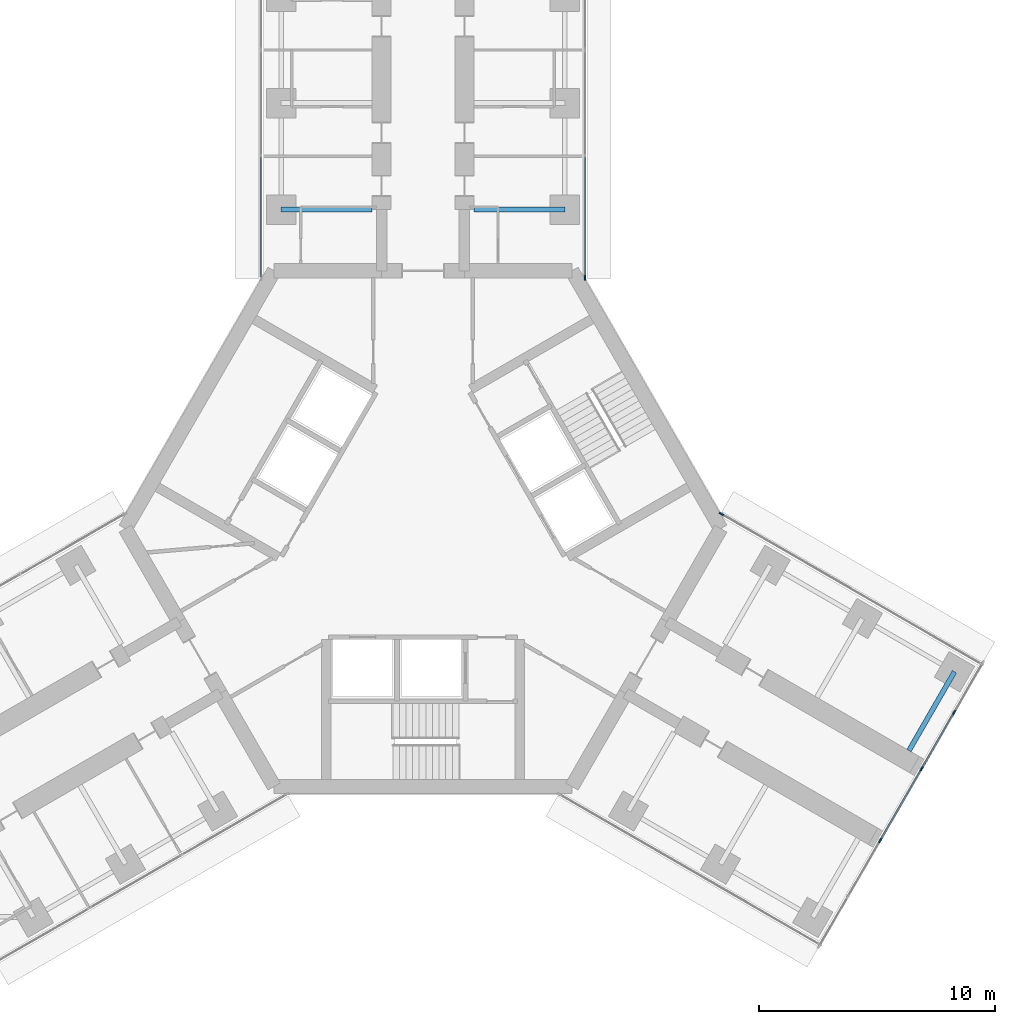
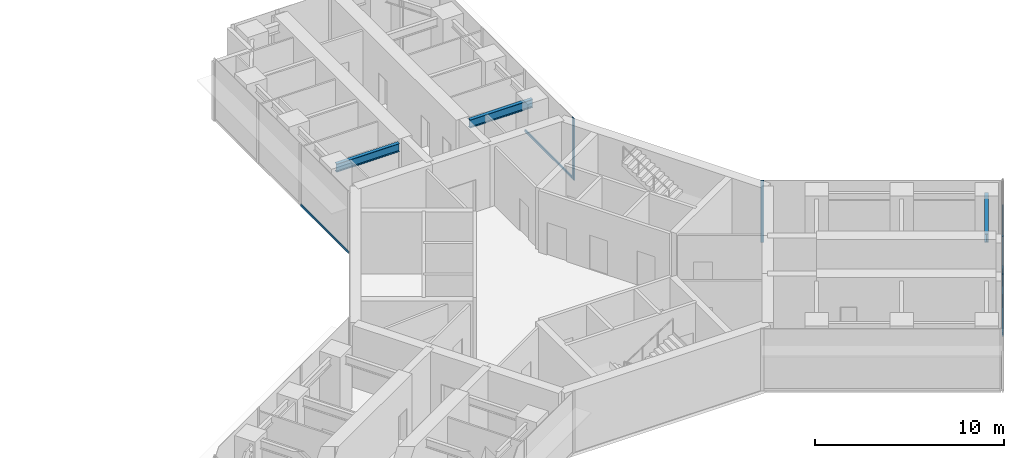
# One storey, part 10 of 23: 9 members, 3 beams, 4 elements without a shape of their own.
"""IFC4 building model written with IfcOpenShell, lengths in metres."""

from ifc_helpers import new_model, si_unit, direction, frame, origin, origin_2d, place, context, subcontext, project, spatial, rectangle, i_section, extrude, material, material_profile, profile_set, type_object, element, aggregate, save


model = new_model("IFC4")

# Units and contexts
model_context = context("Model", 3, precision=1e-05, world=origin(), true_north=direction((0.0, 1.0)))
body_context = subcontext(model_context, "Body", "Model", "MODEL_VIEW")
ifc_project = project(units=[si_unit("LENGTHUNIT", "METRE"), si_unit("AREAUNIT", "SQUARE_METRE"), si_unit("VOLUMEUNIT", "CUBIC_METRE"), si_unit("PLANEANGLEUNIT", "RADIAN"), si_unit("MASSUNIT", "GRAM", prefix="KILO")], contexts=[model_context])

# Site, building, storey
site_placement = place(None, origin())
site = spatial("IfcSite", under=ifc_project, at=site_placement, CompositionType="ELEMENT")
building_placement = place(site_placement, origin())
building = spatial("IfcBuilding", under=site, at=building_placement, Name="Upepo Twin Towers", CompositionType="ELEMENT")
storey_placement = place(building_placement, frame((0.0, 0.0, 157.5)))
storey = spatial("IfcBuildingStorey", under=building, at=storey_placement, Name="L38", CompositionType="ELEMENT", Elevation=157.5)

# Beams
ifc_material_1 = material(Name="Steel S355", Category="steel")
ifc_material_profile_1 = material_profile(ifc_material_1, i_section(OverallWidth=0.209228515625, OverallDepth=0.533203125, WebThickness=0.010009765625, FlangeThickness=0.015625, FilletRadius=0.0126953125, at=origin_2d()), Name="UB 533x210x92")
ifc_profile_set_1 = profile_set([ifc_material_profile_1], Name="Steel S355")
beam_type = type_object("IfcBeamType", Name="Beam UB 533x210x92", PredefinedType="BEAM", material=ifc_profile_set_1)
for number, where, z_axis, x_axis, name in (
    (1, (52.5, -4.5, 3.533447265625), (1.0, 0.0, 0.0), (0.0, 1.0, 0.0), "T2 girder AL at 13.5"),
    (2, (64.5, -4.5, 3.533447265625), (-1.0, 0.0, 0.0), (0.0, -1.0, 0.0), "T2 girder AR at 13.5"),
):
    element("IfcBeam", number, at=place(storey_placement, frame(where, z_axis=z_axis, x_axis=x_axis)), inside=storey, type_object=beam_type, Name=name, PredefinedType="BEAM", context=body_context, shape_type="SweptSolid", body=[
        extrude(i_section(OverallWidth=0.209228515625, OverallDepth=0.533203125, WebThickness=0.010009765625, FlangeThickness=0.015625, FilletRadius=0.0126953125, at=origin_2d()), origin(), (0.0, 0.0, 1.0), 3.85009765625),
    ])
beam_placement = place(storey_placement, frame((80.985595703125, -24.053955078125, 3.533447265625), z_axis=(-0.500033517596, -0.866006051527, 0.0), x_axis=(0.866006051527, -0.500033517596, 0.0)))
element("IfcBeam", 3, at=beam_placement, inside=storey, type_object=beam_type, Name="T2 girder CL at 22.5", PredefinedType="BEAM", context=body_context, shape_type="SweptSolid", body=[
    extrude(i_section(OverallWidth=0.209228515625, OverallDepth=0.533203125, WebThickness=0.010009765625, FlangeThickness=0.015625, FilletRadius=0.0126953125, at=origin_2d()), origin(), (0.0, 0.0, 1.0), 3.849853515625),
])

# Curtain wall, member
ifc_material_2 = material(Name="Aluminium and fritted glass", Category="aluminium")
curtain_wall_type = type_object("IfcCurtainWallType", Name="Tower curtain wall TW2, fritted glass", PredefinedType="NOTDEFINED", material=ifc_material_2)
curtain_wall_1_placement = place(storey_placement, origin())
curtain_wall_1 = element("IfcCurtainWall", 4, at=curtain_wall_1_placement, inside=storey, type_object=curtain_wall_type, Name="T2 L38 wing A flank R curtain wall", PredefinedType="NOTDEFINED")
ifc_material_3 = material(Name="Aluminium mullion", Category="aluminium")
ifc_material_profile_2 = material_profile(ifc_material_3, rectangle(XDim=0.06494140625, YDim=0.199951171875, at=origin_2d()), Name="MULLION 65x200")
ifc_profile_set_2 = profile_set([ifc_material_profile_2], Name="Aluminium mullion")
member_type_1 = type_object("IfcMemberType", Name="Mullion 65x200 TW2", PredefinedType="MULLION", material=ifc_profile_set_2)
member_1_placement = place(storey_placement, frame((65.35009765625, -7.38037109375, 0.0), z_axis=(0.0, 0.0, 1.0), x_axis=(1.0, 0.0, 0.0)))
member_1 = element("IfcMember", 5, at=member_1_placement, type_object=member_type_1, Name="T2 L38 wing A flank R curtain wall mullion 4", PredefinedType="MULLION", context=body_context, shape_type="SweptSolid", body=[
    extrude(rectangle(XDim=0.06494140625, YDim=0.199951171875, at=origin_2d()), origin(), (0.0, 0.0, 1.0), 4.0),
])

curtain_wall_2_placement = place(storey_placement, origin())
curtain_wall_2 = element("IfcCurtainWall", 6, at=curtain_wall_2_placement, inside=storey, type_object=curtain_wall_type, Name="T2 L38 wing C flank L curtain wall", PredefinedType="NOTDEFINED")
member_2_placement = place(storey_placement, frame((71.121826171875, -17.37744140625, 0.0), z_axis=(0.0, 0.0, 1.0), x_axis=(0.50000000792, 0.866025399212, 0.0)))
member_2 = element("IfcMember", 7, at=member_2_placement, type_object=member_type_1, Name="T2 L38 wing C flank L curtain wall mullion 1", PredefinedType="MULLION", context=body_context, shape_type="SweptSolid", body=[
    extrude(rectangle(XDim=0.06494140625, YDim=0.199951171875, at=origin_2d()), origin(), (0.0, 0.0, 1.0), 4.0),
])
aggregate(curtain_wall_2, [member_2])

# Curtain wall, members
curtain_wall_3_placement = place(storey_placement, origin())
curtain_wall_3 = element("IfcCurtainWall", 8, at=curtain_wall_3_placement, inside=storey, type_object=curtain_wall_type, Name="T2 L38 wing C nose curtain wall", PredefinedType="NOTDEFINED")
member_3_placement = place(storey_placement, frame((77.8466796875, -31.1904296875, 0.0), z_axis=(0.0, 0.0, 1.0), x_axis=(-0.866025419745, 0.499999972355, 0.0)))
member_3 = element("IfcMember", 9, at=member_3_placement, type_object=member_type_1, Name="T2 L38 wing C nose curtain wall mullion 3", PredefinedType="MULLION", context=body_context, shape_type="SweptSolid", body=[
    extrude(rectangle(XDim=0.06494140625, YDim=0.199951171875, at=origin_2d()), origin(), (0.0, 0.0, 1.0), 4.0),
])
member_4_placement = place(storey_placement, frame((79.5966796875, -28.159423828125, 0.0), z_axis=(0.0, 0.0, 1.0), x_axis=(-0.866025419745, 0.499999972355, 0.0)))
member_4 = element("IfcMember", 10, at=member_4_placement, type_object=member_type_1, Name="T2 L38 wing C nose curtain wall mullion 4", PredefinedType="MULLION", context=body_context, shape_type="SweptSolid", body=[
    extrude(rectangle(XDim=0.06494140625, YDim=0.199951171875, at=origin_2d()), origin(), (0.0, 0.0, 1.0), 4.0),
])
member_5_placement = place(storey_placement, frame((80.9716796875, -25.77783203125, 0.0), z_axis=(0.0, 0.0, 1.0), x_axis=(-0.866025419745, 0.499999972355, 0.0)))
member_5 = element("IfcMember", 11, at=member_5_placement, type_object=member_type_1, Name="T2 L38 wing C nose curtain wall mullion 5", PredefinedType="MULLION", context=body_context, shape_type="SweptSolid", body=[
    extrude(rectangle(XDim=0.06494140625, YDim=0.199951171875, at=origin_2d()), origin(), (0.0, 0.0, 1.0), 4.0),
])

# Curtain wall, member
curtain_wall_4_placement = place(storey_placement, origin())
curtain_wall_4 = element("IfcCurtainWall", 12, at=curtain_wall_4_placement, inside=storey, type_object=curtain_wall_type, Name="T2 L38 wing A flank L curtain wall", PredefinedType="NOTDEFINED")
ifc_material_4 = material(Name="Aluminium transom", Category="aluminium")
ifc_material_profile_3 = material_profile(ifc_material_4, rectangle(XDim=0.06494140625, YDim=0.14990234375, at=origin_2d()), Name="TRANSOM 65x150")
ifc_profile_set_3 = profile_set([ifc_material_profile_3], Name="Aluminium transom")
member_type_2 = type_object("IfcMemberType", Name="Transom 65x150 TW2", PredefinedType="USERDEFINED", material=ifc_profile_set_3)
member_6_placement = place(storey_placement, frame((51.64990234375, -7.347900390625, 0.074951171875), z_axis=(0.0, 1.0, 0.0), x_axis=(-1.0, 0.0, 0.0)))
member_6 = element("IfcMember", 13, at=member_6_placement, type_object=member_type_2, Name="T2 L38 wing A flank L curtain wall transom 1", ObjectType="TRANSOM", PredefinedType="USERDEFINED", context=body_context, shape_type="SweptSolid", body=[
    extrude(rectangle(XDim=0.06494140625, YDim=0.14990234375, at=origin_2d()), origin(), (0.0, 0.0, 1.0), 5.0654296875),
])
aggregate(curtain_wall_4, [member_6])

# Member
member_7_placement = place(storey_placement, frame((65.35009765625, -2.282470703125, 0.074951171875), z_axis=(0.0, -1.0, 0.0), x_axis=(1.0, 0.0, 0.0)))
member_7 = element("IfcMember", 14, at=member_7_placement, type_object=member_type_2, Name="T2 L38 wing A flank R curtain wall transom 3", ObjectType="TRANSOM", PredefinedType="USERDEFINED", context=body_context, shape_type="SweptSolid", body=[
    extrude(rectangle(XDim=0.06494140625, YDim=0.14990234375, at=origin_2d()), origin(), (0.0, 0.0, 1.0), 5.0654296875),
])

aggregate(curtain_wall_1, [member_1, member_7])

member_8_placement = place(storey_placement, frame((77.863037109375, -31.162353515625, 0.074951171875), z_axis=(0.499945997713, 0.866056579774, 0.0), x_axis=(-0.866056579774, 0.499945997713, 0.0)))
member_8 = element("IfcMember", 15, at=member_8_placement, type_object=member_type_2, Name="T2 L38 wing C nose curtain wall transom 3", ObjectType="TRANSOM", PredefinedType="USERDEFINED", context=body_context, shape_type="SweptSolid", body=[
    extrude(rectangle(XDim=0.06494140625, YDim=0.14990234375, at=origin_2d()), origin(), (0.0, 0.0, 1.0), 3.43505859375),
])

member_9_placement = place(storey_placement, frame((79.613037109375, -28.13134765625, 0.074951171875), z_axis=(0.49995335277, 0.8660523339, 0.0), x_axis=(-0.8660523339, 0.49995335277, 0.0)))
member_9 = element("IfcMember", 16, at=member_9_placement, type_object=member_type_2, Name="T2 L38 wing C nose curtain wall transom 4", ObjectType="TRANSOM", PredefinedType="USERDEFINED", context=body_context, shape_type="SweptSolid", body=[
    extrude(rectangle(XDim=0.06494140625, YDim=0.14990234375, at=origin_2d()), origin(), (0.0, 0.0, 1.0), 2.684814453125),
])

aggregate(curtain_wall_3, [member_3, member_4, member_5, member_8, member_9])

save(model, "model.ifc")
